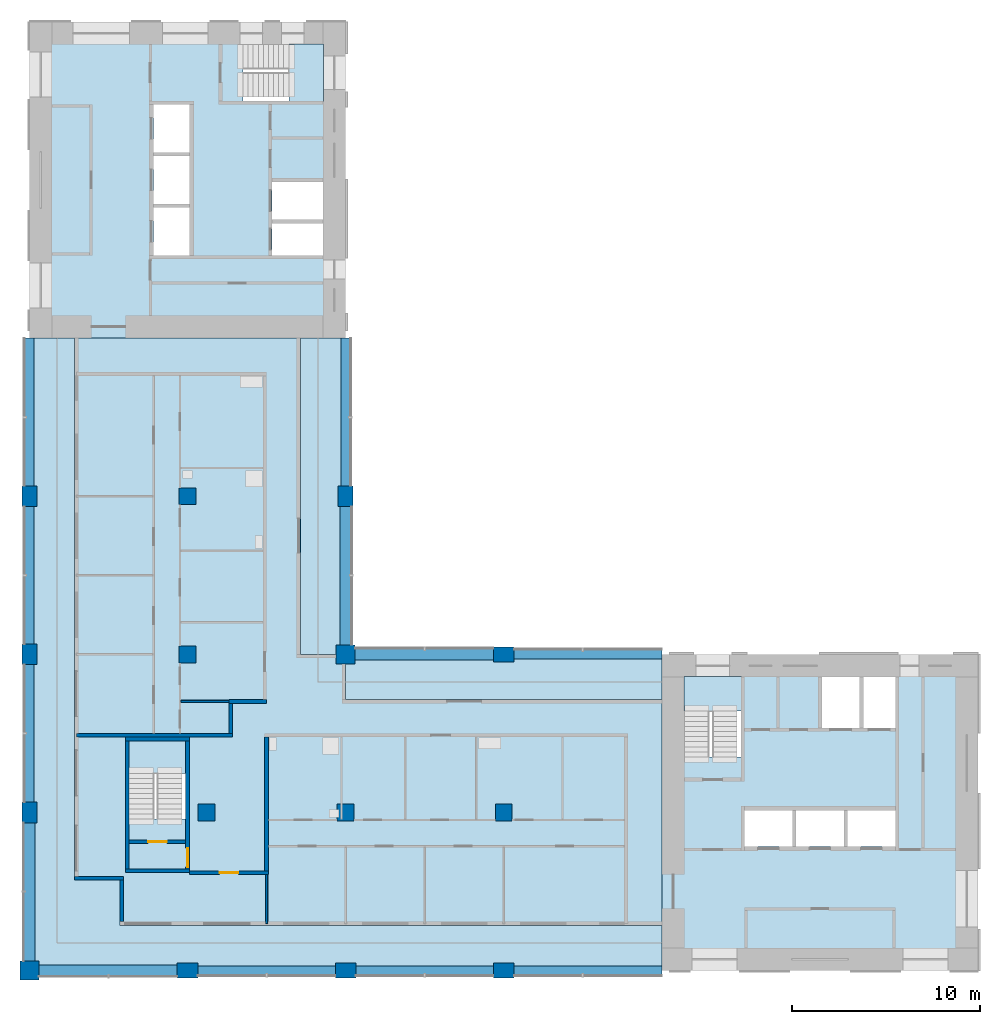
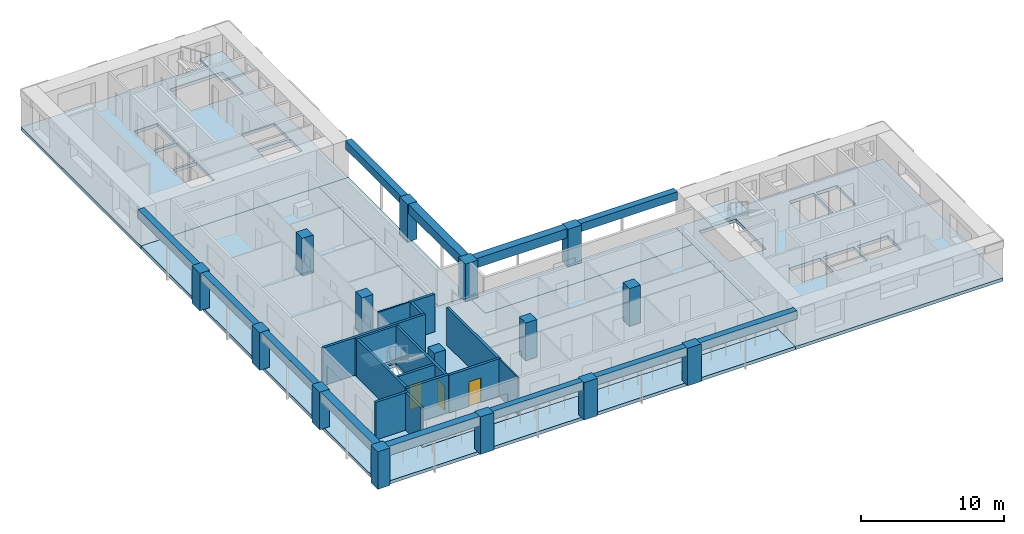
# One storey, part 1 of 9: 15 columns, 14 walls, 12 beams, 10 slabs, 3 doors, 3 openings, 3 elements without a shape of their own.
"""IFC4 building model written with IfcOpenShell, lengths in metres."""

from ifc_helpers import new_model, si_unit, direction, frame, frame_2d, origin, origin_2d, place, context, subcontext, project, spatial, polyline, rectangle, outline, extrude, material, layer, layer_set, material_profile, profile_set, type_object, element, fill, aggregate, save


model = new_model("IFC4")

# Units and contexts
model_context = context("Model", 3, precision=1e-05, world=origin(), true_north=direction((0.0, 1.0)))
body_context = subcontext(model_context, "Body", "Model", "MODEL_VIEW")
ifc_project = project(units=[si_unit("LENGTHUNIT", "METRE"), si_unit("AREAUNIT", "SQUARE_METRE"), si_unit("VOLUMEUNIT", "CUBIC_METRE"), si_unit("PLANEANGLEUNIT", "RADIAN"), si_unit("MASSUNIT", "GRAM", prefix="KILO")], contexts=[model_context])

# Site, building, storey
site_placement = place(None, origin())
site = spatial("IfcSite", under=ifc_project, at=site_placement, CompositionType="ELEMENT")
building_placement = place(site_placement, origin())
building = spatial("IfcBuilding", under=site, at=building_placement, Name="Vermilion Gate Residences", CompositionType="ELEMENT")
storey_placement = place(building_placement, frame((0.0, 0.0, 252.699951171875)))
storey = spatial("IfcBuildingStorey", under=building, at=storey_placement, Name="L66", CompositionType="ELEMENT", Elevation=252.699951171875)

# Columns
ifc_material_1 = material(Name="Concrete C50", Category="concrete")
ifc_material_profile_1 = material_profile(ifc_material_1, rectangle(XDim=1.0, YDim=1.0, at=origin_2d()), Name="RC-1000x1000")
ifc_profile_set_1 = profile_set([ifc_material_profile_1], Name="Concrete C50")
column_type_1 = type_object("IfcColumnType", Name="RC COLUMN 1000 X 1000 C50", PredefinedType="COLUMN", material=ifc_profile_set_1)
for number, where, z_axis, x_axis, name in (
    (1, (8.39990234375, 8.39990234375, 0.0), (0.0, 0.0, 1.0), (1.0, 0.0, 0.0), "Column 2-B L66"),
    (2, (25.199951171875, 25.199951171875, 0.0), (0.0, 0.0, 1.0), (1.0, 0.0, 0.0), "Column 4-D L66"),
):
    element("IfcColumn", number, at=place(storey_placement, frame(where, z_axis=z_axis, x_axis=x_axis)), inside=storey, type_object=column_type_1, Name=name, PredefinedType="COLUMN", context=body_context, shape_type="SweptSolid", body=[
        extrude(rectangle(XDim=1.0, YDim=1.0, at=origin_2d()), origin(), (0.0, 0.0, 1.0), 3.219970703125),
    ])
ifc_material_2 = material(Name="Concrete C50", Category="concrete")
ifc_material_profile_2 = material_profile(ifc_material_2, rectangle(XDim=1.10009765625, YDim=0.800048828125, at=origin_2d()), Name="RC-1100x800")
ifc_profile_set_2 = profile_set([ifc_material_profile_2], Name="Concrete C50")
column_type_2 = type_object("IfcColumnType", Name="RC COLUMN 1100 X 800 C50", PredefinedType="COLUMN", material=ifc_profile_set_2)
for number, where, z_axis, x_axis, name in (
    (3, (8.39990234375, 16.800048828125, 0.0), (0.0, 0.0, 1.0), (0.0, 1.0, 0.0), "Column 2-C L66"),
    (4, (8.39990234375, 25.199951171875, 0.0), (0.0, 0.0, 1.0), (0.0, 1.0, 0.0), "Column 2-D L66"),
    (5, (8.39990234375, 33.60009765625, 0.0), (0.0, 0.0, 1.0), (0.0, 1.0, 0.0), "Column 2-E L66"),
    (6, (16.800048828125, 8.39990234375, 0.0), (0.0, 0.0, 1.0), (1.0, 0.0, 0.0), "Column 3-B L66"),
    (7, (25.199951171875, 8.39990234375, 0.0), (0.0, 0.0, 1.0), (1.0, 0.0, 0.0), "Column 4-B L66"),
    (8, (25.199951171875, 33.60009765625, 0.0), (0.0, 0.0, 1.0), (0.0, 1.0, 0.0), "Column 4-E L66"),
    (9, (33.60009765625, 8.39990234375, 0.0), (0.0, 0.0, 1.0), (1.0, 0.0, 0.0), "Column 5-B L66"),
    (10, (33.60009765625, 25.199951171875, 0.0), (0.0, 0.0, 1.0), (1.0, 0.0, 0.0), "Column 5-D L66"),
):
    element("IfcColumn", number, at=place(storey_placement, frame(where, z_axis=z_axis, x_axis=x_axis)), inside=storey, type_object=column_type_2, Name=name, PredefinedType="COLUMN", context=body_context, shape_type="SweptSolid", body=[
        extrude(rectangle(XDim=1.10009765625, YDim=0.800048828125, at=origin_2d()), origin(), (0.0, 0.0, 1.0), 3.219970703125),
    ])
ifc_material_3 = material(Name="Concrete C50", Category="concrete")
ifc_material_profile_3 = material_profile(ifc_material_3, rectangle(XDim=0.89990234375, YDim=0.89990234375, at=origin_2d()), Name="RC-900x900")
ifc_profile_set_3 = profile_set([ifc_material_profile_3], Name="Concrete C50")
column_type_3 = type_object("IfcColumnType", Name="RC COLUMN 900 X 900 C50", PredefinedType="COLUMN", material=ifc_profile_set_3)
for number, where, z_axis, x_axis, name in (
    (11, (17.800048828125, 16.800048828125, 0.0), (0.0, 0.0, 1.0), (1.0, 0.0, 0.0), "Column 3-C L66"),
    (12, (16.800048828125, 25.199951171875, 0.0), (0.0, 0.0, 1.0), (1.0, 0.0, 0.0), "Column 3-D L66"),
    (13, (16.800048828125, 33.60009765625, 0.0), (0.0, 0.0, 1.0), (1.0, 0.0, 0.0), "Column 3-E L66"),
    (14, (25.199951171875, 16.800048828125, 0.0), (0.0, 0.0, 1.0), (1.0, 0.0, 0.0), "Column 4-C L66"),
    (15, (33.60009765625, 16.800048828125, 0.0), (0.0, 0.0, 1.0), (1.0, 0.0, 0.0), "Column 5-C L66"),
):
    element("IfcColumn", number, at=place(storey_placement, frame(where, z_axis=z_axis, x_axis=x_axis)), inside=storey, type_object=column_type_3, Name=name, PredefinedType="COLUMN", context=body_context, shape_type="SweptSolid", body=[
        extrude(rectangle(XDim=0.89990234375, YDim=0.89990234375, at=origin_2d()), origin(), (0.0, 0.0, 1.0), 3.219970703125),
    ])

# Beams
ifc_material_4 = material(Name="Concrete C60 red-oxide pigmented", Category="concrete")
ifc_material_profile_4 = material_profile(ifc_material_4, rectangle(XDim=0.60009765625, YDim=0.800048828125, at=origin_2d()), Name="RC-600x800")
ifc_profile_set_4 = profile_set([ifc_material_profile_4], Name="Concrete C60 red-oxide pigmented")
beam_type_1 = type_object("IfcBeamType", Name="RC CORNER EDGE BEAM 600 X 800 C60", PredefinedType="BEAM", material=ifc_profile_set_4)
for number, where, z_axis, x_axis, name in (
    (16, (8.89990234375, 8.39990234375, 2.820068359375), (1.0, 0.0, 0.0), (0.0, 1.0, 0.0), "Corner edge beam L66 1"),
    (17, (8.39990234375, 8.89990234375, 2.820068359375), (0.0, 1.0, 0.0), (-1.0, 0.0, 0.0), "Corner edge beam L66 2"),
    (18, (25.199951171875, 25.699951171875, 2.820068359375), (0.0, 1.0, 0.0), (-1.0, 0.0, 0.0), "Corner edge beam L66 7"),
    (19, (25.699951171875, 25.199951171875, 2.820068359375), (1.0, 0.0, 0.0), (0.0, 1.0, 0.0), "Corner edge beam L66 10"),
):
    element("IfcBeam", number, at=place(storey_placement, frame(where, z_axis=z_axis, x_axis=x_axis)), inside=storey, type_object=beam_type_1, Name=name, PredefinedType="BEAM", context=body_context, shape_type="SweptSolid", body=[
        extrude(rectangle(XDim=0.60009765625, YDim=0.800048828125, at=origin_2d()), origin(), (0.0, 0.0, 1.0), 7.35009765625),
    ])
ifc_material_5 = material(Name="Concrete C60 red-oxide pigmented", Category="concrete")
ifc_material_profile_5 = material_profile(ifc_material_5, rectangle(XDim=0.5, YDim=0.699951171875, at=origin_2d()), Name="RC-500x700")
ifc_profile_set_5 = profile_set([ifc_material_profile_5], Name="Concrete C60 red-oxide pigmented")
beam_type_2 = type_object("IfcBeamType", Name="RC EDGE BEAM 500 X 700 C60", PredefinedType="BEAM", material=ifc_profile_set_5)
beam_1_placement = place(storey_placement, frame((8.39990234375, 17.35009765625, 2.8701171875), z_axis=(0.0, 1.0, 0.0), x_axis=(-1.0, 0.0, 0.0)))
element("IfcBeam", 20, at=beam_1_placement, inside=storey, type_object=beam_type_2, Name="Edge beam L66 3", PredefinedType="BEAM", context=body_context, shape_type="SweptSolid", body=[
    extrude(rectangle(XDim=0.5, YDim=0.699951171875, at=origin_2d()), origin(), (0.0, 0.0, 1.0), 7.2998046875),
])
beam_2_placement = place(storey_placement, frame((8.39990234375, 25.75, 2.8701171875), z_axis=(0.0, 1.0, 0.0), x_axis=(-1.0, 0.0, 0.0)))
element("IfcBeam", 21, at=beam_2_placement, inside=storey, type_object=beam_type_2, Name="Edge beam L66 4", PredefinedType="BEAM", context=body_context, shape_type="SweptSolid", body=[
    extrude(rectangle(XDim=0.5, YDim=0.699951171875, at=origin_2d()), origin(), (0.0, 0.0, 1.0), 7.300048828125),
])
beam_3_placement = place(storey_placement, frame((8.39990234375, 34.14990234375, 2.8701171875), z_axis=(0.0, 1.0, 0.0), x_axis=(-1.0, 0.0, 0.0)))
element("IfcBeam", 22, at=beam_3_placement, inside=storey, type_object=beam_type_2, Name="Edge beam L66 5", PredefinedType="BEAM", context=body_context, shape_type="SweptSolid", body=[
    extrude(rectangle(XDim=0.5, YDim=0.699951171875, at=origin_2d()), origin(), (0.0, 0.0, 1.0), 7.85009765625),
])
beam_4_placement = place(storey_placement, frame((17.35009765625, 8.39990234375, 2.8701171875), z_axis=(1.0, 0.0, 0.0), x_axis=(0.0, 1.0, 0.0)))
element("IfcBeam", 23, at=beam_4_placement, inside=storey, type_object=beam_type_2, Name="Edge beam L66 6", PredefinedType="BEAM", context=body_context, shape_type="SweptSolid", body=[
    extrude(rectangle(XDim=0.5, YDim=0.699951171875, at=origin_2d()), origin(), (0.0, 0.0, 1.0), 7.2998046875),
])
beam_5_placement = place(storey_placement, frame((25.199951171875, 34.14990234375, 2.8701171875), z_axis=(0.0, 1.0, 0.0), x_axis=(-1.0, 0.0, 0.0)))
element("IfcBeam", 24, at=beam_5_placement, inside=storey, type_object=beam_type_2, Name="Edge beam L66 8", PredefinedType="BEAM", context=body_context, shape_type="SweptSolid", body=[
    extrude(rectangle(XDim=0.5, YDim=0.699951171875, at=origin_2d()), origin(), (0.0, 0.0, 1.0), 7.85009765625),
])
beam_6_placement = place(storey_placement, frame((25.75, 8.39990234375, 2.8701171875), z_axis=(1.0, 0.0, 0.0), x_axis=(0.0, 1.0, 0.0)))
element("IfcBeam", 25, at=beam_6_placement, inside=storey, type_object=beam_type_2, Name="Edge beam L66 9", PredefinedType="BEAM", context=body_context, shape_type="SweptSolid", body=[
    extrude(rectangle(XDim=0.5, YDim=0.699951171875, at=origin_2d()), origin(), (0.0, 0.0, 1.0), 7.300048828125),
])
for number, where, z_axis, x_axis, name in (
    (26, (34.14990234375, 8.39990234375, 2.8701171875), (1.0, 0.0, 0.0), (0.0, 1.0, 0.0), "Edge beam L66 11"),
    (27, (34.14990234375, 25.199951171875, 2.8701171875), (1.0, 0.0, 0.0), (0.0, 1.0, 0.0), "Edge beam L66 12"),
):
    element("IfcBeam", number, at=place(storey_placement, frame(where, z_axis=z_axis, x_axis=x_axis)), inside=storey, type_object=beam_type_2, Name=name, PredefinedType="BEAM", context=body_context, shape_type="SweptSolid", body=[
        extrude(rectangle(XDim=0.5, YDim=0.699951171875, at=origin_2d()), origin(), (0.0, 0.0, 1.0), 7.85009765625),
    ])

# Slabs
ifc_material_6 = material(Name="Concrete C50", Category="concrete")
ifc_layer_1 = layer(ifc_material_6, 0.280029296875)
ifc_layer_set_1 = layer_set([ifc_layer_1], Name="RC CORE FLOOR SLAB 280 C50")
slab_type_1 = type_object("IfcSlabType", Name="RC CORE FLOOR SLAB 280 C50", PredefinedType="FLOOR", material=ifc_layer_set_1)
slab_1_placement = place(storey_placement, frame((0.0, 0.0, -0.280029296875)))
element("IfcSlab", 28, at=slab_1_placement, inside=storey, type_object=slab_type_1, Name="Core floor slab A66", PredefinedType="FLOOR", context=body_context, shape_type="SweptSolid", body=[
    extrude(outline(polyline([(42.0, 8.39990234375), (58.800048828125, 8.39990234375), (58.800048828125, 25.199951171875), (42.0, 25.199951171875), (42.0, 8.39990234375)]), holes=[polyline([(46.39990234375, 15.0), (46.39990234375, 16.89990234375), (48.933349609375, 16.89990234375), (48.933349609375, 15.0), (46.39990234375, 15.0)]), polyline([(49.13330078125, 16.89990234375), (51.666748046875, 16.89990234375), (51.666748046875, 15.0), (49.13330078125, 15.0), (49.13330078125, 16.89990234375)]), polyline([(51.86669921875, 16.89990234375), (54.39990234375, 16.89990234375), (54.39990234375, 15.0), (51.86669921875, 15.0), (51.86669921875, 16.89990234375)]), polyline([(43.199951171875, 19.75), (43.199951171875, 24.0), (46.199951171875, 24.0), (46.199951171875, 19.75), (43.199951171875, 19.75)]), polyline([(50.5, 24.0), (52.5, 24.0), (52.5, 21.300048828125), (50.5, 21.300048828125), (50.5, 24.0)]), polyline([(52.699951171875, 24.0), (54.39990234375, 24.0), (54.39990234375, 21.300048828125), (52.699951171875, 21.300048828125), (52.699951171875, 24.0)])]), origin(), (0.0, 0.0, 1.0), 0.280029296875),
])
slab_2_placement = place(storey_placement, frame((0.0, 0.0, -0.280029296875)))
element("IfcSlab", 29, at=slab_2_placement, inside=storey, type_object=slab_type_1, Name="Core floor slab B66", PredefinedType="FLOOR", context=body_context, shape_type="SweptSolid", body=[
    extrude(outline(polyline([(8.39990234375, 42.0), (25.199951171875, 42.0), (25.199951171875, 58.800048828125), (8.39990234375, 58.800048828125), (8.39990234375, 42.0)]), holes=[polyline([(21.300048828125, 46.39990234375), (21.300048828125, 48.10009765625), (24.0, 48.10009765625), (24.0, 46.39990234375), (21.300048828125, 46.39990234375)]), polyline([(15.0, 48.933349609375), (16.89990234375, 48.933349609375), (16.89990234375, 46.39990234375), (15.0, 46.39990234375), (15.0, 48.933349609375)]), polyline([(21.300048828125, 50.300048828125), (24.0, 50.300048828125), (24.0, 48.300048828125), (21.300048828125, 48.300048828125), (21.300048828125, 50.300048828125)]), polyline([(15.0, 49.13330078125), (15.0, 51.666748046875), (16.89990234375, 51.666748046875), (16.89990234375, 49.13330078125), (15.0, 49.13330078125)]), polyline([(15.0, 54.39990234375), (16.89990234375, 54.39990234375), (16.89990234375, 51.86669921875), (15.0, 51.86669921875), (15.0, 54.39990234375)]), polyline([(19.75, 57.60009765625), (24.0, 57.60009765625), (24.0, 54.60009765625), (19.75, 54.60009765625), (19.75, 57.60009765625)])]), origin(), (0.0, 0.0, 1.0), 0.280029296875),
])
slab_3_placement = place(storey_placement, frame((0.0, 0.0, -0.280029296875)))
element("IfcSlab", 30, at=slab_3_placement, inside=storey, type_object=slab_type_1, Name="Apex stair floor slab 66", PredefinedType="FLOOR", context=body_context, shape_type="SweptSolid", body=[
    extrude(outline(polyline([(13.5, 13.60009765625), (16.89990234375, 13.60009765625), (16.89990234375, 20.800048828125), (13.5, 20.800048828125), (13.5, 13.60009765625)]), holes=[polyline([(16.699951171875, 20.60009765625), (16.699951171875, 16.449951171875), (13.699951171875, 16.449951171875), (13.699951171875, 20.60009765625), (16.699951171875, 20.60009765625)])]), origin(), (0.0, 0.0, 1.0), 0.280029296875),
])
ifc_material_7 = material(Name="Concrete C50", Category="concrete")
ifc_layer_2 = layer(ifc_material_7, 0.280029296875)
ifc_layer_set_2 = layer_set([ifc_layer_2], Name="RC FLAT PLATE 280 C50")
slab_type_2 = type_object("IfcSlabType", Name="RC FLAT PLATE 280 C50", PredefinedType="FLOOR", material=ifc_layer_set_2)
slab_4_placement = place(storey_placement, frame((0.0, 0.0, -0.280029296875)))
element("IfcSlab", 31, at=slab_4_placement, inside=storey, type_object=slab_type_2, Name="Floor slab L66", PredefinedType="FLOOR", context=body_context, shape_type="SweptSolid", body=[
    extrude(outline(polyline([(22.800048828125, 25.199951171875), (22.800048828125, 42.0), (10.800048828125, 42.0), (10.800048828125, 13.199951171875), (13.199951171875, 13.199951171875), (13.199951171875, 10.800048828125), (42.0, 10.800048828125), (42.0, 22.800048828125), (25.199951171875, 22.800048828125), (25.199951171875, 25.199951171875), (22.800048828125, 25.199951171875)]), holes=[polyline([(13.5, 13.60009765625), (13.5, 20.800048828125), (16.89990234375, 20.800048828125), (16.89990234375, 13.60009765625), (13.5, 13.60009765625)])]), origin(), (0.0, 0.0, 1.0), 0.280029296875),
])
ifc_material_8 = material(Name="Concrete C50 red-oxide pigmented", Category="concrete")
ifc_layer_3 = layer(ifc_material_8, 0.280029296875)
ifc_layer_set_3 = layer_set([ifc_layer_3], Name="RC LOGGIA SLAB 280 C50")
slab_type_3 = type_object("IfcSlabType", Name="RC LOGGIA SLAB 280 C50", PredefinedType="FLOOR", material=ifc_layer_set_3)
slab_5_placement = place(storey_placement, frame((0.0, 0.0, -0.280029296875)))
element("IfcSlab", 32, at=slab_5_placement, inside=storey, type_object=slab_type_3, Name="Loggia slab L66", PredefinedType="FLOOR", context=body_context, shape_type="SweptSolid", body=[
    extrude(outline(polyline([(8.39990234375, 8.39990234375), (42.0, 8.39990234375), (42.0, 10.800048828125), (13.199951171875, 10.800048828125), (13.199951171875, 13.199951171875), (10.800048828125, 13.199951171875), (10.800048828125, 42.0), (8.39990234375, 42.0), (8.39990234375, 8.39990234375)])), origin(), (0.0, 0.0, 1.0), 0.280029296875),
])
slab_6_placement = place(storey_placement, frame((0.0, 0.0, -0.280029296875)))
element("IfcSlab", 33, at=slab_6_placement, inside=storey, type_object=slab_type_3, Name="Loggia slab L66", PredefinedType="FLOOR", context=body_context, shape_type="SweptSolid", body=[
    extrude(outline(polyline([(25.199951171875, 22.800048828125), (42.0, 22.800048828125), (42.0, 25.199951171875), (25.199951171875, 25.199951171875), (25.199951171875, 22.800048828125)])), origin(), (0.0, 0.0, 1.0), 0.280029296875),
])
slab_7_placement = place(storey_placement, frame((0.0, 0.0, -0.280029296875)))
element("IfcSlab", 34, at=slab_7_placement, inside=storey, type_object=slab_type_3, Name="Loggia slab L66", PredefinedType="FLOOR", context=body_context, shape_type="SweptSolid", body=[
    extrude(outline(polyline([(25.199951171875, 42.0), (22.800048828125, 42.0), (22.800048828125, 25.199951171875), (25.199951171875, 25.199951171875), (25.199951171875, 42.0)])), origin(), (0.0, 0.0, 1.0), 0.280029296875),
])

# Stair, slab
ifc_material_9 = material(Name="Concrete C50", Category="concrete")
stair_type = type_object("IfcStairType", Name="SPECIAL ESCAPE STAIR 1300", PredefinedType="HALF_TURN_STAIR", material=ifc_material_9)
stair_1_placement = place(storey_placement, origin())
stair_1 = element("IfcStair", 35, at=stair_1_placement, inside=storey, type_object=stair_type, Name="Special escape stair STA1-66", PredefinedType="HALF_TURN_STAIR")
ifc_material_10 = material(Name="Concrete C50", Category="concrete")
ifc_layer_4 = layer(ifc_material_10, 0.199951171875)
ifc_layer_set_4 = layer_set([ifc_layer_4], Name="STAIR LANDING 200 C50")
slab_type_4 = type_object("IfcSlabType", Name="STAIR LANDING 200 C50", PredefinedType="LANDING", material=ifc_layer_set_4)
slab_8_placement = place(storey_placement, frame((0.0, 0.0, 1.550048828125)))
slab_8 = element("IfcSlab", 36, at=slab_8_placement, type_object=slab_type_4, Name="STA1-66 landing 1", PredefinedType="LANDING", context=body_context, shape_type="SweptSolid", body=[
    extrude(outline(polyline([(46.219970703125, 22.179931640625), (46.219970703125, 24.02001953125), (43.179931640625, 24.02001953125), (43.179931640625, 22.179931640625), (46.219970703125, 22.179931640625)])), origin(), (0.0, 0.0, 1.0), 0.199951171875),
])
aggregate(stair_1, [slab_8])

stair_2_placement = place(storey_placement, origin())
stair_2 = element("IfcStair", 37, at=stair_2_placement, inside=storey, type_object=stair_type, Name="Special escape stair STB1-66", PredefinedType="HALF_TURN_STAIR")
slab_9_placement = place(storey_placement, frame((0.0, 0.0, 1.550048828125)))
slab_9 = element("IfcSlab", 38, at=slab_9_placement, type_object=slab_type_4, Name="STB1-66 landing 1", PredefinedType="LANDING", context=body_context, shape_type="SweptSolid", body=[
    extrude(outline(polyline([(24.02001953125, 54.580078125), (24.02001953125, 57.6201171875), (22.179931640625, 57.6201171875), (22.179931640625, 54.580078125), (24.02001953125, 54.580078125)])), origin(), (0.0, 0.0, 1.0), 0.199951171875),
])
aggregate(stair_2, [slab_9])

stair_3_placement = place(storey_placement, origin())
stair_3 = element("IfcStair", 39, at=stair_3_placement, inside=storey, type_object=stair_type, Name="Special escape stair STC1-66", PredefinedType="HALF_TURN_STAIR")
slab_10_placement = place(storey_placement, frame((0.0, 0.0, 1.550048828125)))
slab_10 = element("IfcSlab", 40, at=slab_10_placement, type_object=slab_type_4, Name="STC1-66 landing 1", PredefinedType="LANDING", context=body_context, shape_type="SweptSolid", body=[
    extrude(outline(polyline([(16.719970703125, 18.8798828125), (16.719970703125, 20.6201171875), (13.679931640625, 20.6201171875), (13.679931640625, 18.8798828125), (16.719970703125, 18.8798828125)])), origin(), (0.0, 0.0, 1.0), 0.199951171875),
])
aggregate(stair_3, [slab_10])

# Walls
ifc_material_11 = material(Name="Insulated steel stud wall with terracotta rainscreen", Category="masonry")
ifc_layer_5 = layer(ifc_material_11, 0.199951171875)
ifc_layer_set_5 = layer_set([ifc_layer_5], Name="EXTERNAL WALL 200 TERRACOTTA RAINSCREEN")
wall_type_1 = type_object("IfcWallType", Name="EXTERNAL WALL 200 TERRACOTTA RAINSCREEN", PredefinedType="SOLIDWALL", material=ifc_layer_set_5)
wall_1_placement = place(storey_placement, frame((10.800048828125, 13.300048828125, 0.0), z_axis=(0.0, 0.0, 1.0), x_axis=(1.0, 0.0, 0.0)))
element("IfcWall", 41, at=wall_1_placement, inside=storey, type_object=wall_type_1, Name="External wall", PredefinedType="SOLIDWALL", context=body_context, shape_type="SweptSolid", body=[
    extrude(rectangle(XDim=2.599853515625, YDim=0.199951171875, at=frame_2d((1.2998046875, 0.0))), origin(), (0.0, 0.0, 1.0), 3.219970703125),
])
wall_2_placement = place(storey_placement, frame((13.300048828125, 13.199951171875, 0.0), z_axis=(0.0, 0.0, 1.0), x_axis=(0.0, -1.0, 0.0)))
element("IfcWall", 42, at=wall_2_placement, inside=storey, type_object=wall_type_1, Name="External wall", PredefinedType="SOLIDWALL", context=body_context, shape_type="SweptSolid", body=[
    extrude(rectangle(XDim=2.199951171875, YDim=0.199951171875, at=frame_2d((1.10009765625, 0.0))), origin(), (0.0, 0.0, 1.0), 3.219970703125),
])
ifc_material_12 = material(Name="Plasterboard on steel studs", Category="steel")
ifc_layer_6 = layer(ifc_material_12, 0.10009765625)
ifc_layer_set_6 = layer_set([ifc_layer_6], Name="PARTITION 100")
wall_type_2 = type_object("IfcWallType", Name="PARTITION 100", PredefinedType="PARTITIONING", material=ifc_layer_set_6)
wall_3_placement = place(storey_placement, frame((16.449951171875, 22.699951171875, 0.0), z_axis=(0.0, 0.0, 1.0), x_axis=(1.0, 0.0, 0.0)))
element("IfcWall", 43, at=wall_3_placement, inside=storey, type_object=wall_type_2, Name="Partition", PredefinedType="PARTITIONING", context=body_context, shape_type="SweptSolid", body=[
    extrude(rectangle(XDim=2.550048828125, YDim=0.10009765625, at=frame_2d((1.27490234375, 0.0))), origin(), (0.0, 0.0, 1.0), 3.219970703125),
])
wall_4_placement = place(storey_placement, frame((21.0, 10.89990234375, 0.0), z_axis=(0.0, 0.0, 1.0), x_axis=(0.0, 1.0, 0.0)))
element("IfcWall", 44, at=wall_4_placement, inside=storey, type_object=wall_type_2, Name="Partition", PredefinedType="PARTITIONING", context=body_context, shape_type="SweptSolid", body=[
    extrude(rectangle(XDim=2.60009765625, YDim=0.10009765625, at=frame_2d((1.300048828125, 0.0))), origin(), (0.0, 0.0, 1.0), 3.219970703125),
])

# Wall, opening, door
ifc_material_13 = material(Name="Fire-rated plasterboard on steel studs", Category="steel")
ifc_layer_7 = layer(ifc_material_13, 0.199951171875)
ifc_layer_set_7 = layer_set([ifc_layer_7], Name="PARTY WALL 200 EI 120")
wall_type_3 = type_object("IfcWallType", Name="PARTY WALL 200 EI 120", PredefinedType="PARTITIONING", material=ifc_layer_set_7)
wall_5_placement = place(storey_placement, frame((16.89990234375, 13.60009765625, 0.0), z_axis=(0.0, 0.0, 1.0), x_axis=(1.0, 0.0, 0.0)))
wall_5 = element("IfcWall", 45, at=wall_5_placement, inside=storey, type_object=wall_type_3, Name="Party and corridor wall", PredefinedType="PARTITIONING", context=body_context, shape_type="SweptSolid", body=[
    extrude(rectangle(XDim=4.2001953125, YDim=0.199951171875, at=frame_2d((2.10009765625, 0.0))), origin(), (0.0, 0.0, 1.0), 3.219970703125),
])
opening_1_placement = place(wall_5_placement, frame((1.60009765625, 0.0, 0.0)))
opening_1 = element("IfcOpeningElement", 46, at=opening_1_placement, cuts=wall_5, Name="Opening DA64001", PredefinedType="OPENING", context=body_context, shape_type="SweptSolid", body=[
    extrude(rectangle(XDim=1.0, YDim=2.10009765625, at=frame_2d((0.5, 1.050048828125))), frame((0.0, 0.10986328125, 0.0), z_axis=(0.0, -1.0, 0.0), x_axis=(1.0, 0.0, 0.0)), (0.0, 0.0, 1.0), 0.219970703125),
])
ifc_material_14 = material(Name="Steel", Category="steel")
door_type_1 = type_object("IfcDoorType", Name="ENTRANCE DOOR 1000 X 2100 FD30", OperationType="SINGLE_SWING_LEFT", PredefinedType="DOOR", material=ifc_material_14)
door_1_placement = place(opening_1_placement, frame((1.0, 0.0, 0.0), z_axis=(0.0, 0.0, 1.0), x_axis=(-1.0, 0.0, 0.0)))
door_1 = element("IfcDoor", 47, at=door_1_placement, inside=storey, type_object=door_type_1, Name="Entrance door", OperationType="SINGLE_SWING_LEFT", OverallHeight=2.10009765625, OverallWidth=1.0, PredefinedType="DOOR", context=body_context, shape_type="SweptSolid", body=[
    extrude(rectangle(XDim=1.0, YDim=2.10009765625, at=frame_2d((0.5, 1.050048828125))), frame((0.0, 0.02490234375, 0.0), z_axis=(0.0, -1.0, 0.0), x_axis=(1.0, 0.0, 0.0)), (0.0, 0.0, 1.0), 0.050048828125),
])
fill(opening_1, door_1)

# Walls
wall_6_placement = place(storey_placement, frame((10.89990234375, 20.89990234375, 0.0), z_axis=(0.0, 0.0, 1.0), x_axis=(1.0, 0.0, 0.0)))
element("IfcWall", 48, at=wall_6_placement, inside=storey, type_object=wall_type_3, Name="Party and corridor wall", PredefinedType="PARTITIONING", context=body_context, shape_type="SweptSolid", body=[
    extrude(rectangle(XDim=8.300048828125, YDim=0.199951171875, at=frame_2d((4.14990234375, 0.0))), origin(), (0.0, 0.0, 1.0), 3.219970703125),
])
wall_7_placement = place(storey_placement, frame((19.0, 22.699951171875, 0.0), z_axis=(0.0, 0.0, 1.0), x_axis=(1.0, 0.0, 0.0)))
element("IfcWall", 49, at=wall_7_placement, inside=storey, type_object=wall_type_3, Name="Party and corridor wall", PredefinedType="PARTITIONING", context=body_context, shape_type="SweptSolid", body=[
    extrude(rectangle(XDim=2.0, YDim=0.199951171875, at=frame_2d((1.0, 0.0))), origin(), (0.0, 0.0, 1.0), 3.219970703125),
])
wall_8_placement = place(storey_placement, frame((19.10009765625, 21.0, 0.0), z_axis=(0.0, 0.0, 1.0), x_axis=(0.0, 1.0, 0.0)))
element("IfcWall", 50, at=wall_8_placement, inside=storey, type_object=wall_type_3, Name="Party and corridor wall", PredefinedType="PARTITIONING", context=body_context, shape_type="SweptSolid", body=[
    extrude(rectangle(XDim=1.60009765625, YDim=0.199951171875, at=frame_2d((0.800048828125, 0.0))), origin(), (0.0, 0.0, 1.0), 3.219970703125),
])
wall_9_placement = place(storey_placement, frame((21.0, 13.699951171875, 0.0), z_axis=(0.0, 0.0, 1.0), x_axis=(0.0, 1.0, 0.0)))
element("IfcWall", 51, at=wall_9_placement, inside=storey, type_object=wall_type_3, Name="Party and corridor wall", PredefinedType="PARTITIONING", context=body_context, shape_type="SweptSolid", body=[
    extrude(rectangle(XDim=7.10009765625, YDim=0.199951171875, at=frame_2d((3.550048828125, 0.0))), origin(), (0.0, 0.0, 1.0), 3.219970703125),
])
ifc_material_15 = material(Name="Concrete C60", Category="concrete")
ifc_layer_8 = layer(ifc_material_15, 0.199951171875)
ifc_layer_set_8 = layer_set([ifc_layer_8], Name="RC CORE INTERNAL WALL 200 C60")
wall_type_4 = type_object("IfcWallType", Name="RC CORE INTERNAL WALL 200 C60", PredefinedType="SHEAR", material=ifc_layer_set_8)
wall_10_placement = place(storey_placement, frame((13.60009765625, 13.800048828125, 0.0), z_axis=(0.0, 0.0, 1.0), x_axis=(0.0, 1.0, 0.0)))
element("IfcWall", 52, at=wall_10_placement, inside=storey, type_object=wall_type_4, Name="Core internal wall C66-W", PredefinedType="SHEAR", context=body_context, shape_type="SweptSolid", body=[
    extrude(rectangle(XDim=6.800048828125, YDim=0.199951171875, at=frame_2d((3.39990234375, 0.0))), origin(), (0.0, 0.0, 1.0), 3.219970703125),
])

# Wall, opening, door
wall_11_placement = place(storey_placement, frame((16.800048828125, 13.800048828125, 0.0), z_axis=(0.0, 0.0, 1.0), x_axis=(0.0, 1.0, 0.0)))
wall_11 = element("IfcWall", 53, at=wall_11_placement, inside=storey, type_object=wall_type_4, Name="Core internal wall C66-E", PredefinedType="SHEAR", context=body_context, shape_type="SweptSolid", body=[
    extrude(rectangle(XDim=6.800048828125, YDim=0.199951171875, at=frame_2d((3.39990234375, 0.0))), origin(), (0.0, 0.0, 1.0), 3.219970703125),
])
opening_2_placement = place(wall_11_placement, frame((0.10009765625, 0.0, 0.0)))
opening_2 = element("IfcOpeningElement", 54, at=opening_2_placement, cuts=wall_11, Name="Opening DK66201", PredefinedType="OPENING", context=body_context, shape_type="SweptSolid", body=[
    extrude(rectangle(XDim=1.0, YDim=2.10009765625, at=frame_2d((0.5, 1.050048828125))), frame((0.0, 0.10986328125, 0.0), z_axis=(0.0, -1.0, 0.0), x_axis=(1.0, 0.0, 0.0)), (0.0, 0.0, 1.0), 0.219970703125),
])
ifc_material_16 = material(Name="Steel", Category="steel")
door_type_2 = type_object("IfcDoorType", Name="FIRE DOOR FD60 1000 X 2100", OperationType="SINGLE_SWING_LEFT", PredefinedType="DOOR", material=ifc_material_16)
door_2_placement = place(opening_2_placement, frame((1.0, 0.0, 0.0), z_axis=(0.0, 0.0, 1.0), x_axis=(-1.0, 0.0, 0.0)))
door_2 = element("IfcDoor", 55, at=door_2_placement, inside=storey, type_object=door_type_2, Name="Stair vestibule door C66", OperationType="SINGLE_SWING_RIGHT", OverallHeight=2.10009765625, OverallWidth=1.0, PredefinedType="DOOR", context=body_context, shape_type="SweptSolid", body=[
    extrude(rectangle(XDim=1.0, YDim=2.10009765625, at=frame_2d((0.5, 1.050048828125))), frame((0.0, 0.02490234375, 0.0), z_axis=(0.0, -1.0, 0.0), x_axis=(1.0, 0.0, 0.0)), (0.0, 0.0, 1.0), 0.050048828125),
])
fill(opening_2, door_2)

# Walls
for number, where, z_axis, x_axis, name in (
    (56, (13.5, 13.699951171875, 0.0), (0.0, 0.0, 1.0), (1.0, 0.0, 0.0), "Core internal wall C66-S"),
    (57, (13.5, 20.699951171875, 0.0), (0.0, 0.0, 1.0), (1.0, 0.0, 0.0), "Core internal wall C66-N"),
):
    element("IfcWall", number, at=place(storey_placement, frame(where, z_axis=z_axis, x_axis=x_axis)), inside=storey, type_object=wall_type_4, Name=name, PredefinedType="SHEAR", context=body_context, shape_type="SweptSolid", body=[
        extrude(rectangle(XDim=3.39990234375, YDim=0.199951171875, at=frame_2d((1.699951171875, 0.0))), origin(), (0.0, 0.0, 1.0), 3.219970703125),
    ])

# Wall, opening, door
wall_12_placement = place(storey_placement, frame((13.699951171875, 15.25, 0.0), z_axis=(0.0, 0.0, 1.0), x_axis=(1.0, 0.0, 0.0)))
wall_12 = element("IfcWall", 58, at=wall_12_placement, inside=storey, type_object=wall_type_4, Name="Core internal wall C66-P", PredefinedType="SHEAR", context=body_context, shape_type="SweptSolid", body=[
    extrude(rectangle(XDim=3.0, YDim=0.199951171875, at=frame_2d((1.5, 0.0))), origin(), (0.0, 0.0, 1.0), 3.219970703125),
])
opening_3_placement = place(wall_12_placement, frame((1.0, 0.0, 0.0)))
opening_3 = element("IfcOpeningElement", 59, at=opening_3_placement, cuts=wall_12, Name="Opening DK66202", PredefinedType="OPENING", context=body_context, shape_type="SweptSolid", body=[
    extrude(rectangle(XDim=1.0, YDim=2.10009765625, at=frame_2d((0.5, 1.050048828125))), frame((0.0, 0.10986328125, 0.0), z_axis=(0.0, -1.0, 0.0), x_axis=(1.0, 0.0, 0.0)), (0.0, 0.0, 1.0), 0.219970703125),
])
door_3_placement = place(opening_3_placement, origin())
door_3 = element("IfcDoor", 60, at=door_3_placement, inside=storey, type_object=door_type_2, Name="Stair door C66", OperationType="SINGLE_SWING_LEFT", OverallHeight=2.10009765625, OverallWidth=1.0, PredefinedType="DOOR", context=body_context, shape_type="SweptSolid", body=[
    extrude(rectangle(XDim=1.0, YDim=2.10009765625, at=frame_2d((0.5, 1.050048828125))), frame((0.0, 0.02490234375, 0.0), z_axis=(0.0, -1.0, 0.0), x_axis=(1.0, 0.0, 0.0)), (0.0, 0.0, 1.0), 0.050048828125),
])
fill(opening_3, door_3)

save(model, "model.ifc")
